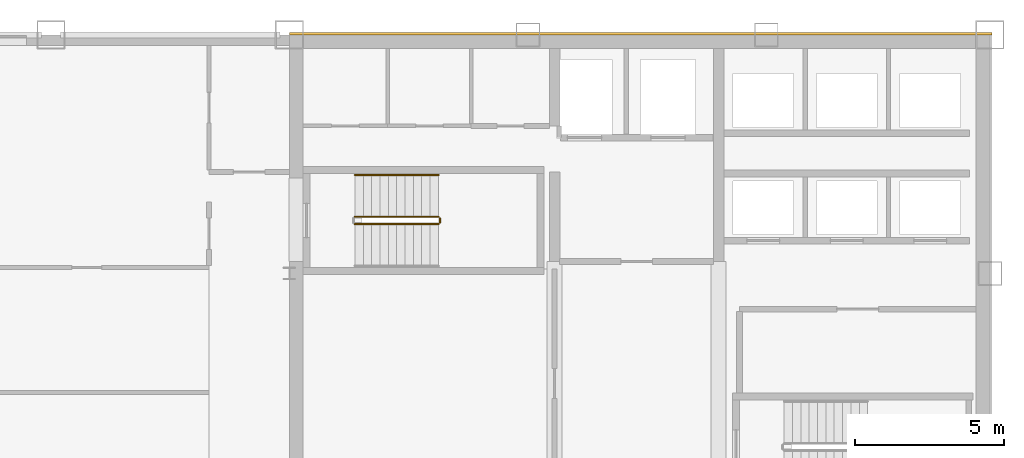
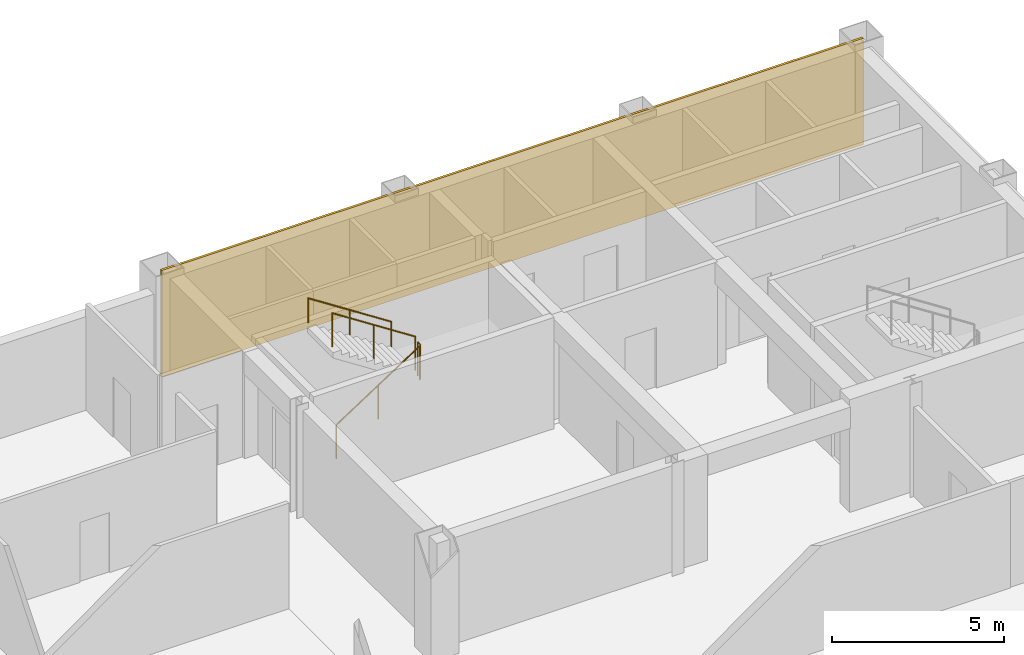
# One storey, part 10 of 10: 4 railings, 1 covering.
"""IFC4 building model written with IfcOpenShell, lengths in metres."""

import ifcopenshell
import ifcopenshell.guid

model = None  # the IFC model being written
_history = None  # IfcOwnerHistory: only IFC2X3 demands one
_inside = {}  # id of a spatial element -> (the spatial element, [elements in it])
_under = {}  # id of a project, library or spatial element -> (it, [spatial elements below it])
_declared = {}  # id of a project -> (the project, [libraries it declares])
_typed = {}  # id of a type object -> (the type object, [elements of that type])
_made_of = {}  # id of a material, layer set ... -> (it, [elements and type objects made of it])


def new_model(schema):
    """Start an empty IFC model of exactly this schema.

    Asked for "IFC4X3", IfcOpenShell would pick the latest addendum, in which some entities
    have other attributes; the version numbers below select the first issue.
    IFC2X3 requires an IfcOwnerHistory on every rooted entity: one is made here for all.
    """
    global model, _history
    if schema == "IFC4X3":
        model = ifcopenshell.file(schema_version=(4, 3, 0, 0))
    else:
        model = ifcopenshell.file(schema=schema)
    _inside.clear()
    _under.clear()
    _declared.clear()
    _typed.clear()
    _made_of.clear()
    _history = None
    if model.schema == "IFC2X3":
        org = make("IfcOrganization", Name="unknown")
        user = make(
            "IfcPersonAndOrganization",
            ThePerson=make("IfcPerson", FamilyName="unknown"),
            TheOrganization=org,
        )
        app = make(
            "IfcApplication",
            ApplicationDeveloper=org,
            Version="unknown",
            ApplicationFullName="unknown",
            ApplicationIdentifier="unknown",
        )
        _history = make(
            "IfcOwnerHistory",
            OwningUser=user,
            OwningApplication=app,
            ChangeAction="ADDED",
            CreationDate=0,
        )
    return model


def make(cls, **values):
    """One entity of the class cls with the attributes given. An attribute that is None is left unset."""
    return model.create_entity(
        cls, **{name: value for name, value in values.items() if value is not None}
    )


def rooted(cls, **values):
    """An entity with a GlobalId (a new one), such as an element, a storey or a relation."""
    return make(cls, GlobalId=ifcopenshell.guid.new(), OwnerHistory=_history, **values)


def si_unit(unit_type, name, prefix=None):
    """IfcSIUnit, for example si_unit("LENGTHUNIT", "METRE", prefix="MILLI")."""
    return make("IfcSIUnit", UnitType=unit_type, Prefix=prefix, Name=name)


def assignment(units):
    """IfcUnitAssignment: the units of a project."""
    return None if units is None else make("IfcUnitAssignment", Units=units)


def point(xyz):
    """IfcCartesianPoint."""
    return None if xyz is None else make("IfcCartesianPoint", Coordinates=xyz)


def direction(xyz):
    """IfcDirection."""
    return None if xyz is None else make("IfcDirection", DirectionRatios=xyz)


def frame(location, z_axis=None, x_axis=None):
    """IfcAxis2Placement3D, a coordinate frame: its origin and axes. An axis left out is left unset."""
    return make(
        "IfcAxis2Placement3D",
        Location=point(location),
        Axis=direction(z_axis),
        RefDirection=direction(x_axis),
    )


def frame_2d(location, x_axis=None):
    """IfcAxis2Placement2D, a coordinate frame in the plane: its origin and x axis."""
    return make(
        "IfcAxis2Placement2D", Location=point(location), RefDirection=direction(x_axis)
    )


def origin():
    """The frame at (0, 0, 0) with its axes left unset."""
    return frame((0.0, 0.0, 0.0))


def origin_2d():
    """The frame at (0, 0) in the plane with its x axis left unset."""
    return frame_2d((0.0, 0.0))


def place(relative_to, where):
    """IfcLocalPlacement: puts the frame where relative to a parent placement (None: the world)."""
    return make(
        "IfcLocalPlacement", PlacementRelTo=relative_to, RelativePlacement=where
    )


def context(
    kind, dimensions, precision=None, world=None, true_north=None, identifier=None
):
    """IfcGeometricRepresentationContext, for example the 3D "Model" context."""
    return make(
        "IfcGeometricRepresentationContext",
        ContextIdentifier=identifier,
        ContextType=kind,
        CoordinateSpaceDimension=dimensions,
        Precision=precision,
        WorldCoordinateSystem=world,
        TrueNorth=true_north,
    )


def subcontext(parent, identifier, kind, view, scale=None):
    """IfcGeometricRepresentationSubContext, for example "Body" below "Model"."""
    return make(
        "IfcGeometricRepresentationSubContext",
        ContextIdentifier=identifier,
        ContextType=kind,
        ParentContext=parent,
        TargetScale=scale,
        TargetView=view,
    )


def project(units=None, contexts=None):
    """IfcProject with its units and contexts."""
    return rooted(
        "IfcProject",
        Name="project",
        RepresentationContexts=contexts,
        UnitsInContext=assignment(units),
    )


def spatial(cls, under=None, at=None, **own):
    """A site, building, storey or space (cls), placed at a placement, below another one or the project."""
    s = rooted(cls, ObjectPlacement=at, **own)
    if under is not None:
        _under.setdefault(under.id(), (under, []))[1].append(s)
    return s


def profile(cls, at=None, kind="AREA", **sizes):
    """A parametric profile (cls). Its sizes go by their IFC names, for example OverallWidth=200.0."""
    return make(cls, ProfileType=kind, Position=at, **sizes)


def rectangle(**sizes):
    """IfcRectangleProfileDef."""
    return profile("IfcRectangleProfileDef", **sizes)


def circle(**sizes):
    """IfcCircleProfileDef."""
    return profile("IfcCircleProfileDef", **sizes)


def extrude(swept, where, along, depth):
    """IfcExtrudedAreaSolid: the profile swept, set in the frame where, extruded along a direction by depth."""
    return make(
        "IfcExtrudedAreaSolid",
        SweptArea=swept,
        Position=where,
        ExtrudedDirection=direction(along),
        Depth=depth,
    )


def shape(context_of_items, identifier, shape_type, items):
    """IfcShapeRepresentation: the items that make up one representation, for example the "Body"."""
    return make(
        "IfcShapeRepresentation",
        ContextOfItems=context_of_items,
        RepresentationIdentifier=identifier,
        RepresentationType=shape_type,
        Items=items,
    )


def material(Name=None, Category=None):
    """IfcMaterial."""
    return make("IfcMaterial", Name=Name, Category=Category)


def layer(
    of_material, thickness, ventilated=None, Name=None, Category=None, Priority=None
):
    """IfcMaterialLayer: one layer of a wall or slab, of a material (None: an air gap)."""
    return make(
        "IfcMaterialLayer",
        Material=of_material,
        LayerThickness=thickness,
        IsVentilated=ventilated,
        Name=Name,
        Category=Category,
        Priority=Priority,
    )


def layer_set(layers, Name=None):
    """IfcMaterialLayerSet."""
    return make("IfcMaterialLayerSet", MaterialLayers=layers, LayerSetName=Name)


def made_of(thing, what):
    """Note that an element or type object is made of a material, layer set ...; save() writes the relation."""
    if what is not None:
        _made_of.setdefault(what.id(), (what, []))[1].append(thing)
    return thing


def type_object(cls, material=None, **own):
    """A type object (cls), such as IfcWallType, which elements share."""
    return made_of(rooted(cls, **own), material)


def element(
    cls,
    number,
    at=None,
    inside=None,
    cuts=None,
    type_object=None,
    material=None,
    context=None,
    identifier="Body",
    shape_type=None,
    held_by="IfcProductDefinitionShape",
    body=None,
    shapes=None,
    **own,
):
    """One element of the class cls, such as IfcWall. Its Tag is "e" and its number.

    at: its placement. inside: the storey or other place that contains it. cuts: it is an
    opening in that element (IfcRelVoidsElement). A single representation is given by context,
    identifier, shape_type and body (its items); several are given by shapes. held_by: the class
    of the entity that holds the representations. save() writes the other relations.
    """
    e = rooted(cls, Tag="e%d" % number, ObjectPlacement=at, **own)
    if body is not None:
        shapes = [shape(context, identifier, shape_type, body)]
    if shapes is not None:
        e.Representation = make(held_by, Representations=shapes)
    if inside is not None:
        _inside.setdefault(inside.id(), (inside, []))[1].append(e)
    if cuts is not None:
        rooted(
            "IfcRelVoidsElement", RelatingBuildingElement=cuts, RelatedOpeningElement=e
        )
    if type_object is not None:
        _typed.setdefault(type_object.id(), (type_object, []))[1].append(e)
    return made_of(e, material)


def aggregate(whole, parts):
    """IfcRelAggregates: a whole, such as a stair, and the parts it consists of."""
    return rooted("IfcRelAggregates", RelatingObject=whole, RelatedObjects=parts)


def save(model, path):
    """Write the relations noted so far, then the file.

    IfcRelAggregates (storeys below a building ...), IfcRelContainedInSpatialStructure (elements
    in a storey), IfcRelDefinesByType, IfcRelAssociatesMaterial and IfcRelDeclares: one each for
    every whole, place, type object, material and project.
    """
    for whole, parts in _under.values():
        aggregate(whole, parts)
    for where, things in _inside.values():
        rooted(
            "IfcRelContainedInSpatialStructure",
            RelatedElements=things,
            RelatingStructure=where,
        )
    for kind, things in _typed.values():
        rooted("IfcRelDefinesByType", RelatedObjects=things, RelatingType=kind)
    for what, things in _made_of.values():
        rooted("IfcRelAssociatesMaterial", RelatedObjects=things, RelatingMaterial=what)
    for by, libraries in _declared.values():
        rooted("IfcRelDeclares", RelatingContext=by, RelatedDefinitions=libraries)
    model.write(path)


model = new_model("IFC4")

# Units and contexts
model_context = context("Model", 3, precision=1e-05, world=origin(), true_north=direction((0.0, 1.0)))
body_context = subcontext(model_context, "Body", "Model", "MODEL_VIEW")
ifc_project = project(units=[si_unit("LENGTHUNIT", "METRE"), si_unit("AREAUNIT", "SQUARE_METRE"), si_unit("VOLUMEUNIT", "CUBIC_METRE"), si_unit("PLANEANGLEUNIT", "RADIAN"), si_unit("MASSUNIT", "GRAM", prefix="KILO")], contexts=[model_context])

# Site, building, storey
site_placement = place(None, origin())
site = spatial("IfcSite", under=ifc_project, at=site_placement, CompositionType="ELEMENT")
building_placement = place(site_placement, origin())
building = spatial("IfcBuilding", under=site, at=building_placement, Name="Qianrong Seaharbour Tower", CompositionType="ELEMENT")
storey_placement = place(building_placement, frame((0.0, 0.0, 253.800048828125)))
storey = spatial("IfcBuildingStorey", under=building, at=storey_placement, Name="L61", CompositionType="ELEMENT", Elevation=253.800048828125)

# Covering
ifc_material_1 = material(Name="Unitised red brick cladding on Precast concrete C45/55", Category="masonry")
ifc_layer = layer(ifc_material_1, 0.080078125)
ifc_layer_set = layer_set([ifc_layer], Name="Unitised red brick cladding on Precast concrete C45/55")
covering_type = type_object("IfcCoveringType", Name="COV-CLAD-RED-BRICK-80", PredefinedType="CLADDING", material=ifc_layer_set)
covering_placement = place(storey_placement, frame((52.2900390625, 52.0400390625, 0.0), z_axis=(0.0, 0.0, 1.0), x_axis=(1.0, 0.0, 0.0)))
element("IfcCovering", 1, at=covering_placement, inside=storey, type_object=covering_type, Name="L61 North Core Brick Veneer Cladding", PredefinedType="CLADDING", context=body_context, shape_type="SweptSolid", body=[
    extrude(rectangle(XDim=23.580078125, YDim=0.080078125, at=origin_2d()), origin(), (0.0, 0.0, 1.0), 3.77490234375),
])

# Railings
ifc_material_2 = material(Name="Galvanized painted steel SN400B stair guard", Category="steel")
railing_type_1 = type_object("IfcRailingType", Name="RAIL-STAIR-GUARD-1220", PredefinedType="GUARDRAIL", material=ifc_material_2)
railing_1_placement = place(storey_placement, frame((42.699951171875, 45.64990234375, 0.181884765625)))
element("IfcRailing", 2, at=railing_1_placement, inside=storey, type_object=railing_type_1, Name="L61 ST-1 stair guard 1", PredefinedType="GUARDRAIL", context=body_context, shape_type="SweptSolid", body=[
    extrude(circle(Radius=0.02392578125, at=origin_2d()), frame((0.0, 0.0, 1.19580078125), z_axis=(0.838705829183, 0.0, 0.544584733623), x_axis=(0.0, 1.0, 0.0)), (0.0, 0.0, 1.0), 3.338623046875),
    extrude(circle(Radius=0.02099609375, at=origin_2d()), origin(), (0.0, 0.0, 1.0), 1.171875),
    extrude(circle(Radius=0.02099609375, at=origin_2d()), frame((1.39990234375, 0.0, 0.9091796875)), (0.0, 0.0, 1.0), 1.171875),
    extrude(circle(Radius=0.02099609375, at=origin_2d()), frame((2.800048828125, 0.0, 1.818115234375)), (0.0, 0.0, 1.0), 1.171875),
])
railing_2_placement = place(storey_placement, frame((45.550048828125, 45.699951171875, 2.0)))
element("IfcRailing", 3, at=railing_2_placement, inside=storey, type_object=railing_type_1, Name="L61 ST-1 stair guard 2", PredefinedType="GUARDRAIL", context=body_context, shape_type="SweptSolid", body=[
    extrude(circle(Radius=0.02392578125, at=origin_2d()), frame((0.0, 0.0, 1.19580078125), z_axis=(0.0, 1.0, 0.0), x_axis=(-1.0, 0.0, 0.0)), (0.0, 0.0, 1.0), 0.150146484375),
    extrude(circle(Radius=0.02099609375, at=origin_2d()), origin(), (0.0, 0.0, 1.0), 1.171875),
    extrude(circle(Radius=0.02099609375, at=origin_2d()), frame((0.0, 0.150146484375, 0.0)), (0.0, 0.0, 1.0), 1.171875),
])
railing_3_placement = place(storey_placement, frame((45.5, 45.89990234375, 2.181884765625)))
element("IfcRailing", 4, at=railing_3_placement, inside=storey, type_object=railing_type_1, Name="L61 ST-1 stair guard 3", PredefinedType="GUARDRAIL", context=body_context, shape_type="SweptSolid", body=[
    extrude(circle(Radius=0.02392578125, at=origin_2d()), frame((0.0, 0.0, 1.19580078125), z_axis=(-0.838705829183, 0.0, 0.544584733623), x_axis=(0.0, -1.0, 0.0)), (0.0, 0.0, 1.0), 3.338623046875),
    extrude(circle(Radius=0.02099609375, at=origin_2d()), origin(), (0.0, 0.0, 1.0), 1.171875),
    extrude(circle(Radius=0.02099609375, at=origin_2d()), frame((-1.39990234375, 0.0, 0.9091796875)), (0.0, 0.0, 1.0), 1.171875),
    extrude(circle(Radius=0.02099609375, at=origin_2d()), frame((-2.800048828125, 0.0, 1.818115234375)), (0.0, 0.0, 1.0), 1.171875),
])
ifc_material_3 = material(Name="Stainless steel SUS316L continuous handrail", Category="steel")
railing_type_2 = type_object("IfcRailingType", Name="RAIL-STAIR-HANDRAIL-900", PredefinedType="HANDRAIL", material=ifc_material_3)
railing_4_placement = place(storey_placement, frame((45.5, 47.300048828125, 2.181884765625)))
element("IfcRailing", 5, at=railing_4_placement, inside=storey, type_object=railing_type_2, Name="L61 ST-1 stair handrail 2", PredefinedType="HANDRAIL", context=body_context, shape_type="SweptSolid", body=[
    extrude(circle(Radius=0.02392578125, at=origin_2d()), frame((0.0, 0.0, 0.8759765625), z_axis=(-0.838705829183, 0.0, 0.544584733623), x_axis=(0.0, -1.0, 0.0)), (0.0, 0.0, 1.0), 3.338623046875),
    extrude(circle(Radius=0.02099609375, at=origin_2d()), origin(), (0.0, 0.0, 1.0), 0.851806640625),
    extrude(circle(Radius=0.02099609375, at=origin_2d()), frame((-1.39990234375, 0.0, 0.9091796875)), (0.0, 0.0, 1.0), 0.851806640625),
    extrude(circle(Radius=0.02099609375, at=origin_2d()), frame((-2.800048828125, 0.0, 1.818115234375)), (0.0, 0.0, 1.0), 0.851806640625),
])

save(model, "model.ifc")
